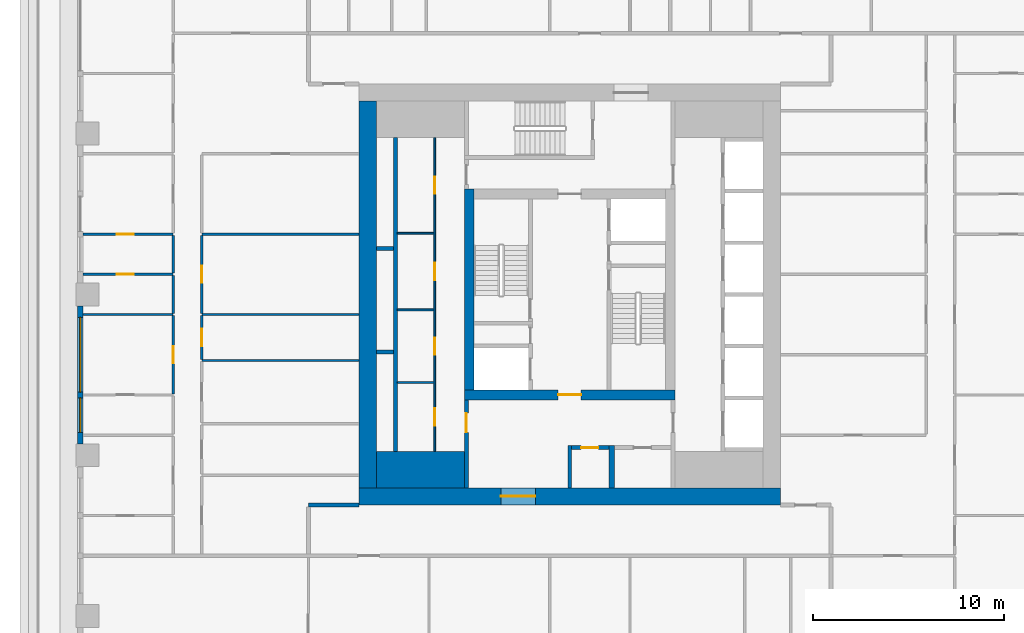
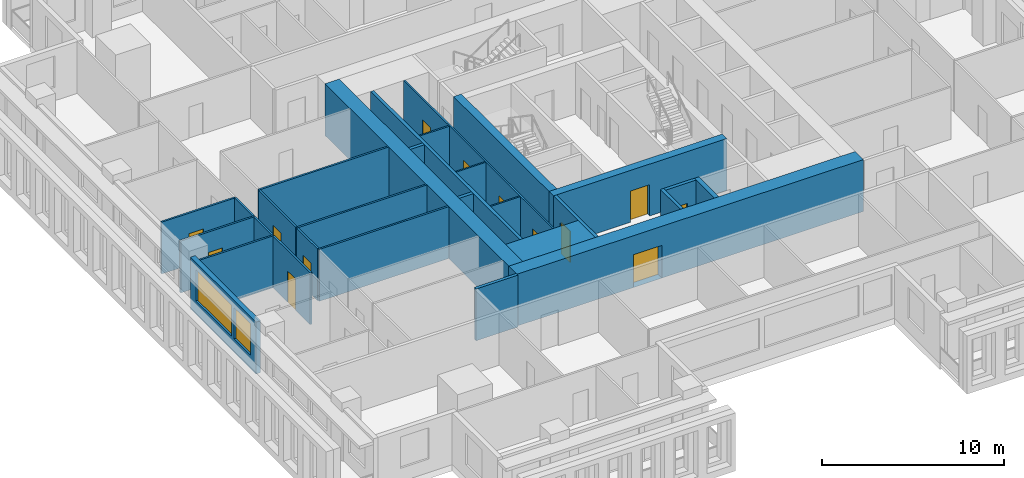
# One storey, part 3 of 15: 29 walls, 13 doors, 2 windows, 15 openings.
"""IFC4 building model written with IfcOpenShell, lengths in metres."""

from ifc_helpers import new_model, si_unit, direction, frame, frame_2d, origin, place, context, subcontext, project, spatial, rectangle, extrude, material, layer, layer_set, type_object, element, fill, save


model = new_model("IFC4")

# Units and contexts
model_context = context("Model", 3, precision=1e-05, world=origin(), true_north=direction((0.0, 1.0)))
body_context = subcontext(model_context, "Body", "Model", "MODEL_VIEW")
ifc_project = project(units=[si_unit("LENGTHUNIT", "METRE"), si_unit("AREAUNIT", "SQUARE_METRE"), si_unit("VOLUMEUNIT", "CUBIC_METRE"), si_unit("PLANEANGLEUNIT", "RADIAN"), si_unit("MASSUNIT", "GRAM", prefix="KILO")], contexts=[model_context])

# Site, building, storey
site_placement = place(None, origin())
site = spatial("IfcSite", under=ifc_project, at=site_placement, CompositionType="ELEMENT")
building_placement = place(site_placement, origin())
building = spatial("IfcBuilding", under=site, at=building_placement, Name="Khepri Terraces", CompositionType="ELEMENT")
storey_placement = place(building_placement, frame((0.0, 0.0, 260.10009765625)))
storey = spatial("IfcBuildingStorey", under=building, at=storey_placement, Name="L62", CompositionType="ELEMENT", Elevation=260.10009765625)

# Walls
ifc_material_1 = material(Name="Concrete C40/50", Category="concrete")
ifc_layer_1 = layer(ifc_material_1, 1.89990234375, Name="Concrete C40/50", Category="concrete")
ifc_layer_set_1 = layer_set([ifc_layer_1], Name="Concrete C40/50")
wall_type_1 = type_object("IfcWallType", Name="Core wall 1900 C40/50", PredefinedType="SHEAR", material=ifc_layer_set_1)
wall_1_placement = place(storey_placement, frame((-10.10009765625, -9.14990234375, 0.0), z_axis=(0.0, 0.0, 1.0), x_axis=(1.0, 0.0, 0.0)))
element("IfcWall", 1, at=wall_1_placement, inside=storey, type_object=wall_type_1, Name="Core wall PR01 L62", PredefinedType="SHEAR", context=body_context, shape_type="SweptSolid", body=[
    extrude(rectangle(XDim=4.60009765625, YDim=1.89990234375, at=frame_2d((2.300048828125, 0.0))), origin(), (0.0, 0.0, 1.0), 3.47998046875),
])
ifc_layer_2 = layer(ifc_material_1, 0.199951171875, Name="Concrete C40/50", Category="concrete")
ifc_layer_set_2 = layer_set([ifc_layer_2], Name="Concrete C40/50")
wall_type_2 = type_object("IfcWallType", Name="Core wall 200 C40/50", PredefinedType="SHEAR", material=ifc_layer_set_2)
wall_2_placement = place(storey_placement, frame((-9.10009765625, -8.199951171875, 0.0), z_axis=(0.0, 0.0, 1.0), x_axis=(0.0, 1.0, 0.0)))
element("IfcWall", 2, at=wall_2_placement, inside=storey, type_object=wall_type_2, Name="Core wall SH01 L62", PredefinedType="SHEAR", context=body_context, shape_type="SweptSolid", body=[
    extrude(rectangle(XDim=16.39990234375, YDim=0.199951171875, at=frame_2d((8.199951171875, 0.0))), origin(), (0.0, 0.0, 1.0), 3.47998046875),
])
for number, where, z_axis, x_axis, name in (
    (3, (-10.10009765625, -3.0, 0.0), (0.0, 0.0, 1.0), (1.0, 0.0, 0.0), "Core wall SH06 L62"),
    (4, (-10.10009765625, 2.39990234375, 0.0), (0.0, 0.0, 1.0), (1.0, 0.0, 0.0), "Core wall SH11 L62"),
):
    element("IfcWall", number, at=place(storey_placement, frame(where, z_axis=z_axis, x_axis=x_axis)), inside=storey, type_object=wall_type_2, Name=name, PredefinedType="SHEAR", context=body_context, shape_type="SweptSolid", body=[
        extrude(rectangle(XDim=0.900146484375, YDim=0.199951171875, at=frame_2d((0.4501953125, 0.0))), origin(), (0.0, 0.0, 1.0), 3.47998046875),
    ])

# Wall, opening, door
ifc_layer_3 = layer(ifc_material_1, 0.5, Name="Concrete C40/50", Category="concrete")
ifc_layer_set_3 = layer_set([ifc_layer_3], Name="Concrete C40/50")
wall_type_3 = type_object("IfcWallType", Name="Core wall 500 C40/50", PredefinedType="SHEAR", material=ifc_layer_set_3)
wall_3_placement = place(storey_placement, frame((-5.5, -5.25, 0.0), z_axis=(0.0, 0.0, 1.0), x_axis=(1.0, 0.0, 0.0)))
wall_3 = element("IfcWall", 5, at=wall_3_placement, inside=storey, type_object=wall_type_3, Name="Core wall BX01 L62", PredefinedType="SHEAR", context=body_context, shape_type="SweptSolid", body=[
    extrude(rectangle(XDim=11.0, YDim=0.5, at=frame_2d((5.5, 0.0))), origin(), (0.0, 0.0, 1.0), 3.47998046875),
])
opening_1_placement = place(wall_3_placement, frame((4.89990234375, 0.0, 0.0)))
opening_1 = element("IfcOpeningElement", 6, at=opening_1_placement, cuts=wall_3, Name="Opening L62-C14", PredefinedType="OPENING", context=body_context, shape_type="SweptSolid", body=[
    extrude(rectangle(XDim=1.199951171875, YDim=2.10009765625, at=frame_2d((0.60009765625, 1.050048828125))), frame((0.0, 0.260009765625, 0.0), z_axis=(0.0, -1.0, 0.0), x_axis=(1.0, 0.0, 0.0)), (0.0, 0.0, 1.0), 0.52001953125),
])
ifc_material_2 = material(Name="Painted steel", Category="steel")
door_type_1 = type_object("IfcDoorType", Name="DR-CORE-FF-LOBBY-1200", OperationType="NOTDEFINED", PredefinedType="DOOR", material=ifc_material_2)
door_1_placement = place(opening_1_placement, origin())
door_1 = element("IfcDoor", 7, at=door_1_placement, inside=storey, type_object=door_type_1, Name="Firefighting lobby door L62-C14", OperationType="SINGLE_SWING_RIGHT", OverallHeight=2.10009765625, OverallWidth=1.199951171875, PredefinedType="DOOR", context=body_context, shape_type="SweptSolid", body=[
    extrude(rectangle(XDim=1.199951171875, YDim=2.10009765625, at=frame_2d((0.60009765625, 1.050048828125))), frame((0.0, 0.02490234375, 0.0), z_axis=(0.0, -1.0, 0.0), x_axis=(1.0, 0.0, 0.0)), (0.0, 0.0, 1.0), 0.050048828125),
])
fill(opening_1, door_1)

# Wall
wall_4_placement = place(storey_placement, frame((-5.25, -5.0, 0.0), z_axis=(0.0, 0.0, 1.0), x_axis=(0.0, 1.0, 0.0)))
element("IfcWall", 8, at=wall_4_placement, inside=storey, type_object=wall_type_3, Name="Core wall BX02 L62", PredefinedType="SHEAR", context=body_context, shape_type="SweptSolid", body=[
    extrude(rectangle(XDim=10.5, YDim=0.5, at=frame_2d((5.25, 0.0))), origin(), (0.0, 0.0, 1.0), 3.47998046875),
])

# Wall, opening, door
ifc_layer_4 = layer(ifc_material_1, 0.89990234375, Name="Concrete C40/50", Category="concrete")
ifc_layer_set_4 = layer_set([ifc_layer_4], Name="Concrete C40/50")
wall_type_4 = type_object("IfcWallType", Name="Core wall 900 C40/50", PredefinedType="SHEAR", material=ifc_layer_set_4)
wall_5_placement = place(storey_placement, frame((-11.0, -10.550048828125, 0.0), z_axis=(0.0, 0.0, 1.0), x_axis=(1.0, 0.0, 0.0)))
wall_5 = element("IfcWall", 9, at=wall_5_placement, inside=storey, type_object=wall_type_4, Name="Core wall OW-S L62", PredefinedType="SHEAR", context=body_context, shape_type="SweptSolid", body=[
    extrude(rectangle(XDim=22.0, YDim=0.89990234375, at=frame_2d((11.0, 0.0))), origin(), (0.0, 0.0, 1.0), 3.47998046875),
])
opening_2_placement = place(wall_5_placement, frame((7.39990234375, 0.0, 0.0)))
opening_2 = element("IfcOpeningElement", 10, at=opening_2_placement, cuts=wall_5, Name="Opening L62-C21", PredefinedType="OPENING", context=body_context, shape_type="SweptSolid", body=[
    extrude(rectangle(XDim=1.800048828125, YDim=2.199951171875, at=frame_2d((0.89990234375, 1.10009765625))), frame((0.0, 0.4599609375, 0.0), z_axis=(0.0, -1.0, 0.0), x_axis=(1.0, 0.0, 0.0)), (0.0, 0.0, 1.0), 0.919921875),
])
door_type_2 = type_object("IfcDoorType", Name="DR-CORE-ENTRANCE-1800", OperationType="NOTDEFINED", PredefinedType="DOOR", material=ifc_material_2)
door_2_placement = place(opening_2_placement, frame((1.800048828125, 0.0, 0.0), z_axis=(0.0, 0.0, 1.0), x_axis=(-1.0, 0.0, 0.0)))
door_2 = element("IfcDoor", 11, at=door_2_placement, inside=storey, type_object=door_type_2, Name="Core entrance door pair L62-C21", OperationType="DOUBLE_DOOR_SINGLE_SWING", OverallHeight=2.199951171875, OverallWidth=1.800048828125, PredefinedType="DOOR", context=body_context, shape_type="SweptSolid", body=[
    extrude(rectangle(XDim=1.800048828125, YDim=2.199951171875, at=frame_2d((0.89990234375, 1.10009765625))), frame((0.0, 0.02490234375, 0.0), z_axis=(0.0, -1.0, 0.0), x_axis=(1.0, 0.0, 0.0)), (0.0, 0.0, 1.0), 0.050048828125),
])
fill(opening_2, door_2)

# Wall
wall_6_placement = place(storey_placement, frame((-10.550048828125, -10.10009765625, 0.0), z_axis=(0.0, 0.0, 1.0), x_axis=(0.0, 1.0, 0.0)))
element("IfcWall", 12, at=wall_6_placement, inside=storey, type_object=wall_type_4, Name="Core wall OW-W L62", PredefinedType="SHEAR", context=body_context, shape_type="SweptSolid", body=[
    extrude(rectangle(XDim=20.2001953125, YDim=0.89990234375, at=frame_2d((10.10009765625, 0.0))), origin(), (0.0, 0.0, 1.0), 3.47998046875),
])

# Wall, openings, doors
ifc_material_3 = material(Name="Fire-rated gypsum board partition")
ifc_layer_5 = layer(ifc_material_3, 0.10009765625, Name="Fire-rated gypsum board partition")
ifc_layer_set_5 = layer_set([ifc_layer_5], Name="Fire-rated gypsum board partition")
wall_type_5 = type_object("IfcWallType", Name="WL-CORE-PART-100", PredefinedType="PARTITIONING", material=ifc_layer_set_5)
wall_7_placement = place(storey_placement, frame((-7.050048828125, -8.199951171875, 0.0), z_axis=(0.0, 0.0, 1.0), x_axis=(0.0, 1.0, 0.0)))
wall_7 = element("IfcWall", 13, at=wall_7_placement, inside=storey, type_object=wall_type_5, Name="Core partition PT05 L62", PredefinedType="PARTITIONING", context=body_context, shape_type="SweptSolid", body=[
    extrude(rectangle(XDim=16.39990234375, YDim=0.10009765625, at=frame_2d((8.199951171875, 0.0))), origin(), (0.0, 0.0, 1.0), 3.47998046875),
])
opening_3_placement = place(wall_7_placement, frame((1.35009765625, 0.0, 0.0)))
opening_3 = element("IfcOpeningElement", 14, at=opening_3_placement, cuts=wall_7, Name="Opening L62-C24", PredefinedType="OPENING", context=body_context, shape_type="SweptSolid", body=[
    extrude(rectangle(XDim=0.89990234375, YDim=2.10009765625, at=frame_2d((0.449951171875, 1.050048828125))), frame((0.0, 0.06005859375, 0.0), z_axis=(0.0, -1.0, 0.0), x_axis=(1.0, 0.0, 0.0)), (0.0, 0.0, 1.0), 0.1201171875),
])
opening_4_placement = place(wall_7_placement, frame((5.050048828125, 0.0, 0.0)))
opening_4 = element("IfcOpeningElement", 15, at=opening_4_placement, cuts=wall_7, Name="Opening L62-C25", PredefinedType="OPENING", context=body_context, shape_type="SweptSolid", body=[
    extrude(rectangle(XDim=0.89990234375, YDim=2.10009765625, at=frame_2d((0.449951171875, 1.050048828125))), frame((0.0, 0.06005859375, 0.0), z_axis=(0.0, -1.0, 0.0), x_axis=(1.0, 0.0, 0.0)), (0.0, 0.0, 1.0), 0.1201171875),
])
opening_5_placement = place(wall_7_placement, frame((8.949951171875, 0.0, 0.0)))
opening_5 = element("IfcOpeningElement", 16, at=opening_5_placement, cuts=wall_7, Name="Opening L62-C26", PredefinedType="OPENING", context=body_context, shape_type="SweptSolid", body=[
    extrude(rectangle(XDim=0.89990234375, YDim=2.10009765625, at=frame_2d((0.449951171875, 1.050048828125))), frame((0.0, 0.06005859375, 0.0), z_axis=(0.0, -1.0, 0.0), x_axis=(1.0, 0.0, 0.0)), (0.0, 0.0, 1.0), 0.1201171875),
])
opening_6_placement = place(wall_7_placement, frame((13.449951171875, 0.0, 0.0)))
opening_6 = element("IfcOpeningElement", 17, at=opening_6_placement, cuts=wall_7, Name="Opening L62-C27", PredefinedType="OPENING", context=body_context, shape_type="SweptSolid", body=[
    extrude(rectangle(XDim=0.89990234375, YDim=2.10009765625, at=frame_2d((0.449951171875, 1.050048828125))), frame((0.0, 0.06005859375, 0.0), z_axis=(0.0, -1.0, 0.0), x_axis=(1.0, 0.0, 0.0)), (0.0, 0.0, 1.0), 0.1201171875),
])
door_type_3 = type_object("IfcDoorType", Name="DR-CORE-SERVICE-900", OperationType="NOTDEFINED", PredefinedType="DOOR", material=ifc_material_2)
door_3_placement = place(opening_3_placement, origin())
door_3 = element("IfcDoor", 18, at=door_3_placement, inside=storey, type_object=door_type_3, Name="Service room door L62-C24", OperationType="SINGLE_SWING_LEFT", OverallHeight=2.10009765625, OverallWidth=0.89990234375, PredefinedType="DOOR", context=body_context, shape_type="SweptSolid", body=[
    extrude(rectangle(XDim=0.89990234375, YDim=2.10009765625, at=frame_2d((0.449951171875, 1.050048828125))), frame((0.0, 0.02490234375, 0.0), z_axis=(0.0, -1.0, 0.0), x_axis=(1.0, 0.0, 0.0)), (0.0, 0.0, 1.0), 0.050048828125),
])
fill(opening_3, door_3)
door_4_placement = place(opening_4_placement, origin())
door_4 = element("IfcDoor", 19, at=door_4_placement, inside=storey, type_object=door_type_3, Name="Service room door L62-C25", OperationType="SINGLE_SWING_LEFT", OverallHeight=2.10009765625, OverallWidth=0.89990234375, PredefinedType="DOOR", context=body_context, shape_type="SweptSolid", body=[
    extrude(rectangle(XDim=0.89990234375, YDim=2.10009765625, at=frame_2d((0.449951171875, 1.050048828125))), frame((0.0, 0.02490234375, 0.0), z_axis=(0.0, -1.0, 0.0), x_axis=(1.0, 0.0, 0.0)), (0.0, 0.0, 1.0), 0.050048828125),
])
fill(opening_4, door_4)
door_5_placement = place(opening_5_placement, origin())
door_5 = element("IfcDoor", 20, at=door_5_placement, inside=storey, type_object=door_type_3, Name="Service room door L62-C26", OperationType="SINGLE_SWING_RIGHT", OverallHeight=2.10009765625, OverallWidth=0.89990234375, PredefinedType="DOOR", context=body_context, shape_type="SweptSolid", body=[
    extrude(rectangle(XDim=0.89990234375, YDim=2.10009765625, at=frame_2d((0.449951171875, 1.050048828125))), frame((0.0, 0.02490234375, 0.0), z_axis=(0.0, -1.0, 0.0), x_axis=(1.0, 0.0, 0.0)), (0.0, 0.0, 1.0), 0.050048828125),
])
fill(opening_5, door_5)
door_6_placement = place(opening_6_placement, origin())
door_6 = element("IfcDoor", 21, at=door_6_placement, inside=storey, type_object=door_type_3, Name="Service room door L62-C27", OperationType="SINGLE_SWING_RIGHT", OverallHeight=2.10009765625, OverallWidth=0.89990234375, PredefinedType="DOOR", context=body_context, shape_type="SweptSolid", body=[
    extrude(rectangle(XDim=0.89990234375, YDim=2.10009765625, at=frame_2d((0.449951171875, 1.050048828125))), frame((0.0, 0.02490234375, 0.0), z_axis=(0.0, -1.0, 0.0), x_axis=(1.0, 0.0, 0.0)), (0.0, 0.0, 1.0), 0.050048828125),
])
fill(opening_6, door_6)

# Walls
for number, where, z_axis, x_axis, name in (
    (22, (-9.0, -4.60009765625, 0.0), (0.0, 0.0, 1.0), (1.0, 0.0, 0.0), "Core partition PT08 L62"),
    (23, (-9.0, -0.800048828125, 0.0), (0.0, 0.0, 1.0), (1.0, 0.0, 0.0), "Core partition PT09 L62"),
    (24, (-9.0, 3.199951171875, 0.0), (0.0, 0.0, 1.0), (1.0, 0.0, 0.0), "Core partition PT10 L62"),
):
    element("IfcWall", number, at=place(storey_placement, frame(where, z_axis=z_axis, x_axis=x_axis)), inside=storey, type_object=wall_type_5, Name=name, PredefinedType="PARTITIONING", context=body_context, shape_type="SweptSolid", body=[
        extrude(rectangle(XDim=1.89990234375, YDim=0.10009765625, at=frame_2d((0.949951171875, 0.0))), origin(), (0.0, 0.0, 1.0), 3.47998046875),
    ])

# Wall, opening, door
ifc_layer_6 = layer(ifc_material_3, 0.199951171875, Name="Fire-rated gypsum board partition")
ifc_layer_set_6 = layer_set([ifc_layer_6], Name="Fire-rated gypsum board partition")
wall_type_6 = type_object("IfcWallType", Name="WL-CORE-PART-200", PredefinedType="PARTITIONING", material=ifc_layer_set_6)
wall_8_placement = place(storey_placement, frame((-5.39990234375, -10.10009765625, 0.0), z_axis=(0.0, 0.0, 1.0), x_axis=(0.0, 1.0, 0.0)))
wall_8 = element("IfcWall", 25, at=wall_8_placement, inside=storey, type_object=wall_type_6, Name="Core partition PT01 L62", PredefinedType="PARTITIONING", context=body_context, shape_type="SweptSolid", body=[
    extrude(rectangle(XDim=4.60009765625, YDim=0.199951171875, at=frame_2d((2.300048828125, 0.0))), origin(), (0.0, 0.0, 1.0), 3.47998046875),
])
opening_7_placement = place(wall_8_placement, frame((2.89990234375, 0.0, 0.0)))
opening_7 = element("IfcOpeningElement", 26, at=opening_7_placement, cuts=wall_8, Name="Opening L62-C18", PredefinedType="OPENING", context=body_context, shape_type="SweptSolid", body=[
    extrude(rectangle(XDim=1.0, YDim=2.10009765625, at=frame_2d((0.5, 1.050048828125))), frame((0.0, 0.10986328125, 0.0), z_axis=(0.0, -1.0, 0.0), x_axis=(1.0, 0.0, 0.0)), (0.0, 0.0, 1.0), 0.219970703125),
])
door_type_4 = type_object("IfcDoorType", Name="DR-CORE-LOBBY-1000", OperationType="NOTDEFINED", PredefinedType="DOOR", material=ifc_material_2)
door_7_placement = place(opening_7_placement, frame((1.0, 0.0, 0.0), z_axis=(0.0, 0.0, 1.0), x_axis=(-1.0, 0.0, 0.0)))
door_7 = element("IfcDoor", 27, at=door_7_placement, inside=storey, type_object=door_type_4, Name="Lobby door L62-C18", OperationType="SINGLE_SWING_LEFT", OverallHeight=2.10009765625, OverallWidth=1.0, PredefinedType="DOOR", context=body_context, shape_type="SweptSolid", body=[
    extrude(rectangle(XDim=1.0, YDim=2.10009765625, at=frame_2d((0.5, 1.050048828125))), frame((0.0, 0.02490234375, 0.0), z_axis=(0.0, -1.0, 0.0), x_axis=(1.0, 0.0, 0.0)), (0.0, 0.0, 1.0), 0.050048828125),
])
fill(opening_7, door_7)

# Wall
wall_9_placement = place(storey_placement, frame((0.0, -10.10009765625, 0.0), z_axis=(0.0, 0.0, 1.0), x_axis=(0.0, 1.0, 0.0)))
element("IfcWall", 28, at=wall_9_placement, inside=storey, type_object=wall_type_6, Name="Core partition PT02 L62", PredefinedType="PARTITIONING", context=body_context, shape_type="SweptSolid", body=[
    extrude(rectangle(XDim=2.2001953125, YDim=0.199951171875, at=frame_2d((1.10009765625, 0.0))), origin(), (0.0, 0.0, 1.0), 3.47998046875),
])

# Wall, opening, door
wall_10_placement = place(storey_placement, frame((0.10009765625, -8.0, 0.0), z_axis=(0.0, 0.0, 1.0), x_axis=(1.0, 0.0, 0.0)))
wall_10 = element("IfcWall", 29, at=wall_10_placement, inside=storey, type_object=wall_type_6, Name="Core partition PT06 L62", PredefinedType="PARTITIONING", context=body_context, shape_type="SweptSolid", body=[
    extrude(rectangle(XDim=1.949951171875, YDim=0.199951171875, at=frame_2d((0.97509765625, 0.0))), origin(), (0.0, 0.0, 1.0), 3.47998046875),
])
opening_8_placement = place(wall_10_placement, frame((0.5, 0.0, 0.0)))
opening_8 = element("IfcOpeningElement", 30, at=opening_8_placement, cuts=wall_10, Name="Opening L62-C22", PredefinedType="OPENING", context=body_context, shape_type="SweptSolid", body=[
    extrude(rectangle(XDim=0.89990234375, YDim=2.10009765625, at=frame_2d((0.449951171875, 1.050048828125))), frame((0.0, 0.10986328125, 0.0), z_axis=(0.0, -1.0, 0.0), x_axis=(1.0, 0.0, 0.0)), (0.0, 0.0, 1.0), 0.219970703125),
])
door_8_placement = place(opening_8_placement, frame((0.89990234375, 0.0, 0.0), z_axis=(0.0, 0.0, 1.0), x_axis=(-1.0, 0.0, 0.0)))
door_8 = element("IfcDoor", 31, at=door_8_placement, inside=storey, type_object=door_type_3, Name="Service room door L62-C22", OperationType="SINGLE_SWING_RIGHT", OverallHeight=2.10009765625, OverallWidth=0.89990234375, PredefinedType="DOOR", context=body_context, shape_type="SweptSolid", body=[
    extrude(rectangle(XDim=0.89990234375, YDim=2.10009765625, at=frame_2d((0.449951171875, 1.050048828125))), frame((0.0, 0.02490234375, 0.0), z_axis=(0.0, -1.0, 0.0), x_axis=(1.0, 0.0, 0.0)), (0.0, 0.0, 1.0), 0.050048828125),
])
fill(opening_8, door_8)

# Walls
ifc_layer_7 = layer(ifc_material_3, 0.300048828125, Name="Fire-rated gypsum board partition")
ifc_layer_set_7 = layer_set([ifc_layer_7], Name="Fire-rated gypsum board partition")
wall_type_7 = type_object("IfcWallType", Name="WL-CORE-PART-300", PredefinedType="PARTITIONING", material=ifc_layer_set_7)
wall_11_placement = place(storey_placement, frame((2.199951171875, -10.10009765625, 0.0), z_axis=(0.0, 0.0, 1.0), x_axis=(0.0, 1.0, 0.0)))
element("IfcWall", 32, at=wall_11_placement, inside=storey, type_object=wall_type_7, Name="Core partition PT03 L62", PredefinedType="PARTITIONING", context=body_context, shape_type="SweptSolid", body=[
    extrude(rectangle(XDim=2.2001953125, YDim=0.300048828125, at=frame_2d((1.10009765625, 0.0))), origin(), (0.0, 0.0, 1.0), 3.47998046875),
])
ifc_material_4 = material(Name="Fire-rated gypsum plasterboard partition, mineral wool")
ifc_layer_8 = layer(ifc_material_4, 0.199951171875, Name="Fire-rated gypsum plasterboard partition, mineral wool")
ifc_layer_set_8 = layer_set([ifc_layer_8], Name="Fire-rated gypsum plasterboard partition, mineral wool")
wall_type_8 = type_object("IfcWallType", Name="WL-CORR-200", PredefinedType="PARTITIONING", material=ifc_layer_set_8)
wall_12_placement = place(storey_placement, frame((-13.64990234375, -11.0, 0.0), z_axis=(0.0, 0.0, 1.0), x_axis=(1.0, 0.0, 0.0)))
element("IfcWall", 33, at=wall_12_placement, inside=storey, type_object=wall_type_8, Name="Partition P-026 L62", PredefinedType="PARTITIONING", context=body_context, shape_type="SweptSolid", body=[
    extrude(rectangle(XDim=2.64990234375, YDim=0.199951171875, at=frame_2d((1.324951171875, 0.0))), origin(), (0.0, 0.0, 1.0), 3.47998046875),
])

# Wall, openings, windows
ifc_material_5 = material(Name="Precast concrete C50/60 warm stone", Category="masonry")
ifc_layer_9 = layer(ifc_material_5, 0.300048828125, Name="Precast concrete C50/60 warm stone", Category="masonry")
ifc_layer_set_9 = layer_set([ifc_layer_9], Name="Precast concrete C50/60 warm stone")
wall_type_9 = type_object("IfcWallType", Name="WL-EXT-PRECAST-300", PredefinedType="STANDARD", material=ifc_layer_set_9)
wall_13_placement = place(storey_placement, frame((-25.570068359375, -0.60009765625, 0.0), z_axis=(0.0, 0.0, 1.0), x_axis=(0.0, -1.0, 0.0)))
wall_13 = element("IfcWall", 34, at=wall_13_placement, inside=storey, type_object=wall_type_9, Name="External wall L62 W", PredefinedType="STANDARD", context=body_context, shape_type="SweptSolid", body=[
    extrude(rectangle(XDim=7.199951171875, YDim=0.300048828125, at=frame_2d((3.60009765625, 0.0))), origin(), (0.0, 0.0, 1.0), 3.47998046875),
])
opening_9_placement = place(wall_13_placement, frame((0.60009765625, 0.0, 0.89990234375)))
opening_9 = element("IfcOpeningElement", 35, at=opening_9_placement, cuts=wall_13, Name="Opening W2", PredefinedType="OPENING", context=body_context, shape_type="SweptSolid", body=[
    extrude(rectangle(XDim=3.89990234375, YDim=2.10009765625, at=frame_2d((1.949951171875, 1.050048828125))), frame((0.0, 0.16015625, 0.0), z_axis=(0.0, -1.0, 0.0), x_axis=(1.0, 0.0, 0.0)), (0.0, 0.0, 1.0), 0.320068359375),
])
opening_10_placement = place(wall_13_placement, frame((4.800048828125, 0.0, 0.89990234375)))
opening_10 = element("IfcOpeningElement", 36, at=opening_10_placement, cuts=wall_13, Name="Opening W1", PredefinedType="OPENING", context=body_context, shape_type="SweptSolid", body=[
    extrude(rectangle(XDim=1.800048828125, YDim=2.10009765625, at=frame_2d((0.89990234375, 1.050048828125))), frame((0.0, 0.16015625, 0.0), z_axis=(0.0, -1.0, 0.0), x_axis=(1.0, 0.0, 0.0)), (0.0, 0.0, 1.0), 0.320068359375),
])
ifc_material_6 = material(Name="Clear glass", Category="glass")
window_type_1 = type_object("IfcWindowType", Name="WIN-RES-1800x2100", PartitioningType="SINGLE_PANEL", PredefinedType="WINDOW", material=ifc_material_6)
window_1_placement = place(opening_10_placement, origin())
window_1 = element("IfcWindow", 37, at=window_1_placement, inside=storey, type_object=window_type_1, Name="Window L62 W", OverallHeight=2.10009765625, OverallWidth=1.800048828125, PartitioningType="SINGLE_PANEL", PredefinedType="WINDOW", context=body_context, shape_type="SweptSolid", body=[
    extrude(rectangle(XDim=1.800048828125, YDim=2.10009765625, at=frame_2d((0.89990234375, 1.050048828125))), frame((0.0, 0.030029296875, 0.0), z_axis=(0.0, -1.0, 0.0), x_axis=(1.0, 0.0, 0.0)), (0.0, 0.0, 1.0), 0.06005859375),
])
fill(opening_10, window_1)
window_type_2 = type_object("IfcWindowType", Name="WIN-RES-3900x2100", PartitioningType="SINGLE_PANEL", PredefinedType="WINDOW", material=ifc_material_6)
window_2_placement = place(opening_9_placement, origin())
window_2 = element("IfcWindow", 38, at=window_2_placement, inside=storey, type_object=window_type_2, Name="Window L62 W", OverallHeight=2.10009765625, OverallWidth=3.89990234375, PartitioningType="SINGLE_PANEL", PredefinedType="WINDOW", context=body_context, shape_type="SweptSolid", body=[
    extrude(rectangle(XDim=3.89990234375, YDim=2.10009765625, at=frame_2d((1.949951171875, 1.050048828125))), frame((0.0, 0.030029296875, 0.0), z_axis=(0.0, -1.0, 0.0), x_axis=(1.0, 0.0, 0.0)), (0.0, 0.0, 1.0), 0.06005859375),
])
fill(opening_9, window_2)

# Wall, opening, door
ifc_material_7 = material(Name="Gypsum plasterboard partition")
ifc_layer_10 = layer(ifc_material_7, 0.1201171875, Name="Gypsum plasterboard partition")
ifc_layer_set_10 = layer_set([ifc_layer_10], Name="Gypsum plasterboard partition")
wall_type_10 = type_object("IfcWallType", Name="WL-PART-120", PredefinedType="PARTITIONING", material=ifc_layer_set_10)
wall_14_placement = place(storey_placement, frame((-20.719970703125, -5.18994140625, 0.0), z_axis=(0.0, 0.0, 1.0), x_axis=(0.0, 1.0, 0.0)))
wall_14 = element("IfcWall", 39, at=wall_14_placement, inside=storey, type_object=wall_type_10, Name="Partition P-038 L62", PredefinedType="PARTITIONING", context=body_context, shape_type="SweptSolid", body=[
    extrude(rectangle(XDim=4.079833984375, YDim=0.1201171875, at=frame_2d((2.0400390625, 0.0))), origin(), (0.0, 0.0, 1.0), 3.47998046875),
])
opening_11_placement = place(wall_14_placement, frame((1.590087890625, 0.0, 0.0)))
opening_11 = element("IfcOpeningElement", 40, at=opening_11_placement, cuts=wall_14, Name="Opening D3", PredefinedType="OPENING", context=body_context, shape_type="SweptSolid", body=[
    extrude(rectangle(XDim=0.89990234375, YDim=2.10009765625, at=frame_2d((0.449951171875, 1.050048828125))), frame((0.0, 0.070068359375, 0.0), z_axis=(0.0, -1.0, 0.0), x_axis=(1.0, 0.0, 0.0)), (0.0, 0.0, 1.0), 0.14013671875),
])
ifc_material_8 = material(Name="Timber door leaf", Category="wood")
door_type_5 = type_object("IfcDoorType", Name="DR-INT-900", OperationType="NOTDEFINED", PredefinedType="DOOR", material=ifc_material_8)
door_9_placement = place(opening_11_placement, origin())
door_9 = element("IfcDoor", 41, at=door_9_placement, inside=storey, type_object=door_type_5, Name="Door Bedroom", OperationType="SINGLE_SWING_RIGHT", OverallHeight=2.10009765625, OverallWidth=0.89990234375, PredefinedType="DOOR", context=body_context, shape_type="SweptSolid", body=[
    extrude(rectangle(XDim=0.89990234375, YDim=2.10009765625, at=frame_2d((0.449951171875, 1.050048828125))), frame((0.0, 0.02490234375, 0.0), z_axis=(0.0, -1.0, 0.0), x_axis=(1.0, 0.0, 0.0)), (0.0, 0.0, 1.0), 0.050048828125),
])
fill(opening_11, door_9)

# Wall
wall_15_placement = place(storey_placement, frame((-19.219970703125, -3.449951171875, 0.0), z_axis=(0.0, 0.0, 1.0), x_axis=(1.0, 0.0, 0.0)))
element("IfcWall", 42, at=wall_15_placement, inside=storey, type_object=wall_type_10, Name="Partition P-040 L62", PredefinedType="PARTITIONING", context=body_context, shape_type="SweptSolid", body=[
    extrude(rectangle(XDim=8.219970703125, YDim=0.1201171875, at=frame_2d((4.10986328125, 0.0))), origin(), (0.0, 0.0, 1.0), 3.47998046875),
])

# Wall, opening, door
wall_16_placement = place(storey_placement, frame((-19.219970703125, -3.389892578125, 0.0), z_axis=(0.0, 0.0, 1.0), x_axis=(0.0, 1.0, 0.0)))
wall_16 = element("IfcWall", 43, at=wall_16_placement, inside=storey, type_object=wall_type_10, Name="Partition P-041 L62", PredefinedType="PARTITIONING", context=body_context, shape_type="SweptSolid", body=[
    extrude(rectangle(XDim=2.27978515625, YDim=0.1201171875, at=frame_2d((1.139892578125, 0.0))), origin(), (0.0, 0.0, 1.0), 3.47998046875),
])
opening_12_placement = place(wall_16_placement, frame((0.68994140625, 0.0, 0.0)))
opening_12 = element("IfcOpeningElement", 44, at=opening_12_placement, cuts=wall_16, Name="Opening D4", PredefinedType="OPENING", context=body_context, shape_type="SweptSolid", body=[
    extrude(rectangle(XDim=0.89990234375, YDim=2.10009765625, at=frame_2d((0.449951171875, 1.050048828125))), frame((0.0, 0.070068359375, 0.0), z_axis=(0.0, -1.0, 0.0), x_axis=(1.0, 0.0, 0.0)), (0.0, 0.0, 1.0), 0.14013671875),
])
ifc_material_9 = material(Name="Timber door leaf, moisture resistant", Category="wood")
door_type_6 = type_object("IfcDoorType", Name="DR-WET-900", OperationType="NOTDEFINED", PredefinedType="DOOR", material=ifc_material_9)
door_10_placement = place(opening_12_placement, frame((0.89990234375, 0.0, 0.0), z_axis=(0.0, 0.0, 1.0), x_axis=(-1.0, 0.0, 0.0)))
door_10 = element("IfcDoor", 45, at=door_10_placement, inside=storey, type_object=door_type_6, Name="Door Powder Room", OperationType="SINGLE_SWING_LEFT", OverallHeight=2.10009765625, OverallWidth=0.89990234375, PredefinedType="DOOR", context=body_context, shape_type="SweptSolid", body=[
    extrude(rectangle(XDim=0.89990234375, YDim=2.10009765625, at=frame_2d((0.449951171875, 1.050048828125))), frame((0.0, 0.02490234375, 0.0), z_axis=(0.0, -1.0, 0.0), x_axis=(1.0, 0.0, 0.0)), (0.0, 0.0, 1.0), 0.050048828125),
])
fill(opening_12, door_10)

# Walls
wall_17_placement = place(storey_placement, frame((-25.419921875, -1.050048828125, 0.0), z_axis=(0.0, 0.0, 1.0), x_axis=(1.0, 0.0, 0.0)))
element("IfcWall", 46, at=wall_17_placement, inside=storey, type_object=wall_type_10, Name="Partition P-044 L62", PredefinedType="PARTITIONING", context=body_context, shape_type="SweptSolid", body=[
    extrude(rectangle(XDim=4.699951171875, YDim=0.1201171875, at=frame_2d((2.35009765625, 0.0))), origin(), (0.0, 0.0, 1.0), 3.47998046875),
])
wall_18_placement = place(storey_placement, frame((-19.219970703125, -1.050048828125, 0.0), z_axis=(0.0, 0.0, 1.0), x_axis=(1.0, 0.0, 0.0)))
element("IfcWall", 47, at=wall_18_placement, inside=storey, type_object=wall_type_10, Name="Partition P-045 L62", PredefinedType="PARTITIONING", context=body_context, shape_type="SweptSolid", body=[
    extrude(rectangle(XDim=8.219970703125, YDim=0.1201171875, at=frame_2d((4.10986328125, 0.0))), origin(), (0.0, 0.0, 1.0), 3.47998046875),
])
wall_19_placement = place(storey_placement, frame((-20.719970703125, -0.989990234375, 0.0), z_axis=(0.0, 0.0, 1.0), x_axis=(0.0, 1.0, 0.0)))
element("IfcWall", 48, at=wall_19_placement, inside=storey, type_object=wall_type_10, Name="Partition P-046 L62", PredefinedType="PARTITIONING", context=body_context, shape_type="SweptSolid", body=[
    extrude(rectangle(XDim=1.97998046875, YDim=0.1201171875, at=frame_2d((0.989990234375, 0.0))), origin(), (0.0, 0.0, 1.0), 3.47998046875),
])

# Wall, opening, door
wall_20_placement = place(storey_placement, frame((-19.219970703125, -0.989990234375, 0.0), z_axis=(0.0, 0.0, 1.0), x_axis=(0.0, 1.0, 0.0)))
wall_20 = element("IfcWall", 49, at=wall_20_placement, inside=storey, type_object=wall_type_10, Name="Partition P-047 L62", PredefinedType="PARTITIONING", context=body_context, shape_type="SweptSolid", body=[
    extrude(rectangle(XDim=4.080078125, YDim=0.1201171875, at=frame_2d((2.0400390625, 0.0))), origin(), (0.0, 0.0, 1.0), 3.47998046875),
])
opening_13_placement = place(wall_20_placement, frame((1.590087890625, 0.0, 0.0)))
opening_13 = element("IfcOpeningElement", 50, at=opening_13_placement, cuts=wall_20, Name="Opening D3", PredefinedType="OPENING", context=body_context, shape_type="SweptSolid", body=[
    extrude(rectangle(XDim=0.89990234375, YDim=2.10009765625, at=frame_2d((0.449951171875, 1.050048828125))), frame((0.0, 0.070068359375, 0.0), z_axis=(0.0, -1.0, 0.0), x_axis=(1.0, 0.0, 0.0)), (0.0, 0.0, 1.0), 0.14013671875),
])
door_11_placement = place(opening_13_placement, frame((0.89990234375, 0.0, 0.0), z_axis=(0.0, 0.0, 1.0), x_axis=(-1.0, 0.0, 0.0)))
door_11 = element("IfcDoor", 51, at=door_11_placement, inside=storey, type_object=door_type_5, Name="Door Service Store", OperationType="SINGLE_SWING_LEFT", OverallHeight=2.10009765625, OverallWidth=0.89990234375, PredefinedType="DOOR", context=body_context, shape_type="SweptSolid", body=[
    extrude(rectangle(XDim=0.89990234375, YDim=2.10009765625, at=frame_2d((0.449951171875, 1.050048828125))), frame((0.0, 0.02490234375, 0.0), z_axis=(0.0, -1.0, 0.0), x_axis=(1.0, 0.0, 0.0)), (0.0, 0.0, 1.0), 0.050048828125),
])
fill(opening_13, door_11)

wall_21_placement = place(storey_placement, frame((-25.419921875, 1.050048828125, 0.0), z_axis=(0.0, 0.0, 1.0), x_axis=(1.0, 0.0, 0.0)))
wall_21 = element("IfcWall", 52, at=wall_21_placement, inside=storey, type_object=wall_type_10, Name="Partition P-048 L62", PredefinedType="PARTITIONING", context=body_context, shape_type="SweptSolid", body=[
    extrude(rectangle(XDim=4.699951171875, YDim=0.1201171875, at=frame_2d((2.35009765625, 0.0))), origin(), (0.0, 0.0, 1.0), 3.47998046875),
])
opening_14_placement = place(wall_21_placement, frame((1.75, 0.0, 0.0)))
opening_14 = element("IfcOpeningElement", 53, at=opening_14_placement, cuts=wall_21, Name="Opening D4", PredefinedType="OPENING", context=body_context, shape_type="SweptSolid", body=[
    extrude(rectangle(XDim=0.89990234375, YDim=2.10009765625, at=frame_2d((0.449951171875, 1.050048828125))), frame((0.0, 0.070068359375, 0.0), z_axis=(0.0, -1.0, 0.0), x_axis=(1.0, 0.0, 0.0)), (0.0, 0.0, 1.0), 0.14013671875),
])
door_12_placement = place(opening_14_placement, frame((0.89990234375, 0.0, 0.0), z_axis=(0.0, 0.0, 1.0), x_axis=(-1.0, 0.0, 0.0)))
door_12 = element("IfcDoor", 54, at=door_12_placement, inside=storey, type_object=door_type_6, Name="Door Bathroom", OperationType="SINGLE_SWING_RIGHT", OverallHeight=2.10009765625, OverallWidth=0.89990234375, PredefinedType="DOOR", context=body_context, shape_type="SweptSolid", body=[
    extrude(rectangle(XDim=0.89990234375, YDim=2.10009765625, at=frame_2d((0.449951171875, 1.050048828125))), frame((0.0, 0.02490234375, 0.0), z_axis=(0.0, -1.0, 0.0), x_axis=(1.0, 0.0, 0.0)), (0.0, 0.0, 1.0), 0.050048828125),
])
fill(opening_14, door_12)

# Wall
wall_22_placement = place(storey_placement, frame((-20.719970703125, 1.110107421875, 0.0), z_axis=(0.0, 0.0, 1.0), x_axis=(0.0, 1.0, 0.0)))
element("IfcWall", 55, at=wall_22_placement, inside=storey, type_object=wall_type_10, Name="Partition P-050 L62", PredefinedType="PARTITIONING", context=body_context, shape_type="SweptSolid", body=[
    extrude(rectangle(XDim=1.97998046875, YDim=0.1201171875, at=frame_2d((0.989990234375, 0.0))), origin(), (0.0, 0.0, 1.0), 3.47998046875),
])

# Wall, opening, door
wall_23_placement = place(storey_placement, frame((-25.419921875, 3.14990234375, 0.0), z_axis=(0.0, 0.0, 1.0), x_axis=(1.0, 0.0, 0.0)))
wall_23 = element("IfcWall", 56, at=wall_23_placement, inside=storey, type_object=wall_type_10, Name="Partition P-052 L62", PredefinedType="PARTITIONING", context=body_context, shape_type="SweptSolid", body=[
    extrude(rectangle(XDim=4.699951171875, YDim=0.1201171875, at=frame_2d((2.35009765625, 0.0))), origin(), (0.0, 0.0, 1.0), 3.47998046875),
])
opening_15_placement = place(wall_23_placement, frame((1.75, 0.0, 0.0)))
opening_15 = element("IfcOpeningElement", 57, at=opening_15_placement, cuts=wall_23, Name="Opening D3", PredefinedType="OPENING", context=body_context, shape_type="SweptSolid", body=[
    extrude(rectangle(XDim=0.89990234375, YDim=2.10009765625, at=frame_2d((0.449951171875, 1.050048828125))), frame((0.0, 0.070068359375, 0.0), z_axis=(0.0, -1.0, 0.0), x_axis=(1.0, 0.0, 0.0)), (0.0, 0.0, 1.0), 0.14013671875),
])
door_13_placement = place(opening_15_placement, frame((0.89990234375, 0.0, 0.0), z_axis=(0.0, 0.0, 1.0), x_axis=(-1.0, 0.0, 0.0)))
door_13 = element("IfcDoor", 58, at=door_13_placement, inside=storey, type_object=door_type_5, Name="Door Dressing Room", OperationType="SINGLE_SWING_RIGHT", OverallHeight=2.10009765625, OverallWidth=0.89990234375, PredefinedType="DOOR", context=body_context, shape_type="SweptSolid", body=[
    extrude(rectangle(XDim=0.89990234375, YDim=2.10009765625, at=frame_2d((0.449951171875, 1.050048828125))), frame((0.0, 0.02490234375, 0.0), z_axis=(0.0, -1.0, 0.0), x_axis=(1.0, 0.0, 0.0)), (0.0, 0.0, 1.0), 0.050048828125),
])
fill(opening_15, door_13)

# Wall
wall_24_placement = place(storey_placement, frame((-19.219970703125, 3.14990234375, 0.0), z_axis=(0.0, 0.0, 1.0), x_axis=(1.0, 0.0, 0.0)))
element("IfcWall", 59, at=wall_24_placement, inside=storey, type_object=wall_type_10, Name="Partition P-053 L62", PredefinedType="PARTITIONING", context=body_context, shape_type="SweptSolid", body=[
    extrude(rectangle(XDim=8.219970703125, YDim=0.1201171875, at=frame_2d((4.10986328125, 0.0))), origin(), (0.0, 0.0, 1.0), 3.47998046875),
])

save(model, "model.ifc")
